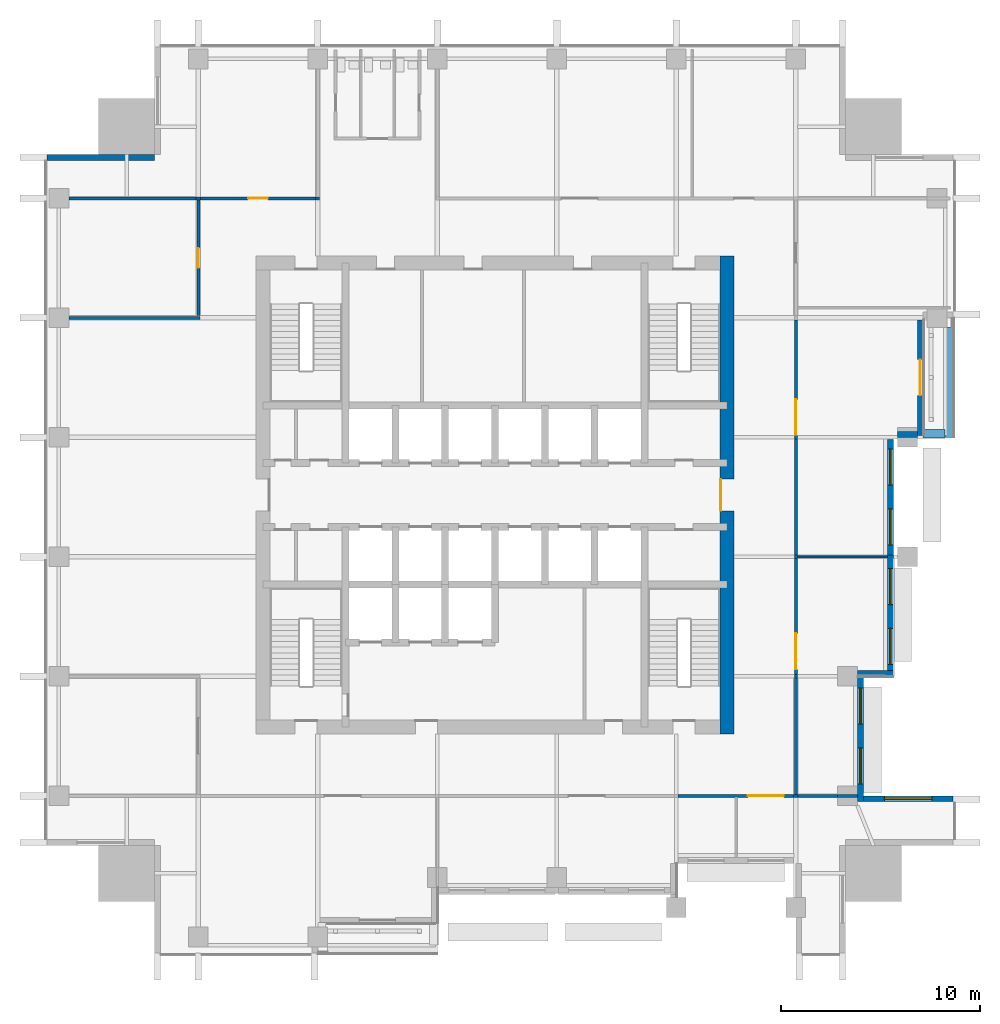
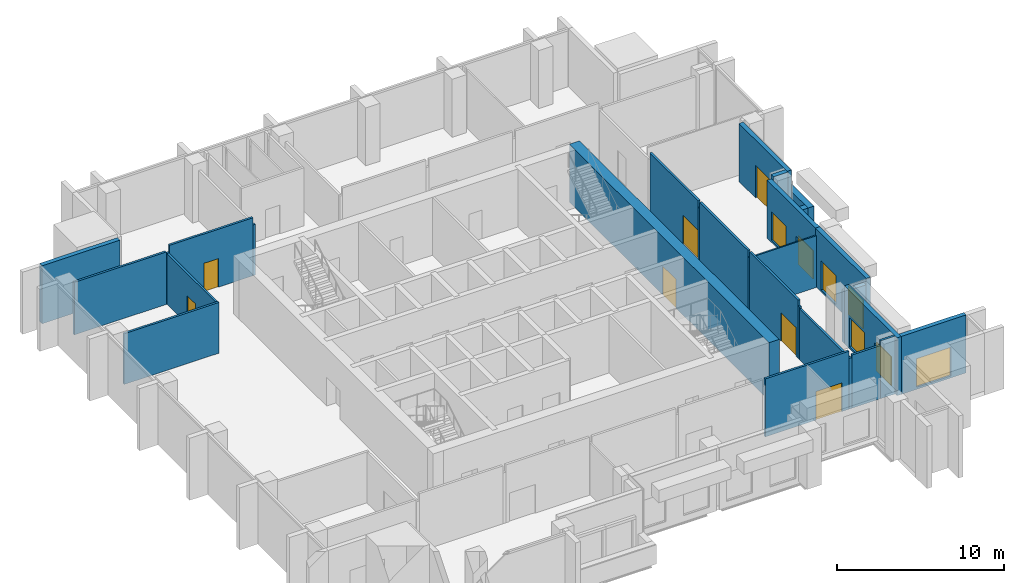
# One storey, part 6 of 11: 29 walls, 7 doors, 7 windows, 14 openings.
"""IFC4 building model written with IfcOpenShell, lengths in metres."""

from ifc_helpers import new_model, si_unit, direction, frame, frame_2d, origin, place, context, subcontext, project, spatial, rectangle, extrude, material, layer, layer_set, type_object, element, fill, save


model = new_model("IFC4")

# Units and contexts
model_context = context("Model", 3, precision=1e-05, world=origin(), true_north=direction((0.0, 1.0)))
body_context = subcontext(model_context, "Body", "Model", "MODEL_VIEW")
ifc_project = project(units=[si_unit("LENGTHUNIT", "METRE"), si_unit("AREAUNIT", "SQUARE_METRE"), si_unit("VOLUMEUNIT", "CUBIC_METRE"), si_unit("PLANEANGLEUNIT", "RADIAN"), si_unit("MASSUNIT", "GRAM", prefix="KILO")], contexts=[model_context])

# Site, building, storey
site_placement = place(None, origin())
site = spatial("IfcSite", under=ifc_project, at=site_placement, CompositionType="ELEMENT")
building_placement = place(site_placement, origin())
building = spatial("IfcBuilding", under=site, at=building_placement, Name="Amberfall Residences", CompositionType="ELEMENT")
storey_placement = place(building_placement, frame((0.0, 0.0, 150.39990234375)))
storey = spatial("IfcBuildingStorey", under=building, at=storey_placement, Name="L40", CompositionType="ELEMENT", Elevation=150.39990234375)

# Wall, opening, window
ifc_material_1 = material(Name="Pale stone cladding on insulated backing", Category="masonry")
ifc_layer_1 = layer(ifc_material_1, 0.300048828125)
ifc_layer_set_1 = layer_set([ifc_layer_1], Name="Bronze clad wall 300")
wall_type_1 = type_object("IfcWallType", Name="Bronze clad wall 300", PredefinedType="SOLIDWALL", material=ifc_layer_set_1)
wall_1_placement = place(storey_placement, frame((97.5, 30.25, 0.0), z_axis=(0.0, 0.0, 1.0), x_axis=(-1.0, 0.0, 0.0)))
wall_1 = element("IfcWall", 1, at=wall_1_placement, inside=storey, type_object=wall_type_1, Name="External wall L40 E", PredefinedType="SOLIDWALL", context=body_context, shape_type="SweptSolid", body=[
    extrude(rectangle(XDim=4.5, YDim=0.300048828125, at=frame_2d((2.25, 0.0))), origin(), (0.0, 0.0, 1.0), 4.25),
])
opening_1_placement = place(wall_1_placement, frame((1.050048828125, 0.0, 0.14990234375)))
opening_1 = element("IfcOpeningElement", 2, at=opening_1_placement, cuts=wall_1, Name="Opening WN5", PredefinedType="OPENING", context=body_context, shape_type="SweptSolid", body=[
    extrude(rectangle(XDim=2.39990234375, YDim=2.10009765625, at=frame_2d((1.199951171875, 1.050048828125))), frame((0.0, 0.159912109375, 0.0), z_axis=(0.0, -1.0, 0.0), x_axis=(1.0, 0.0, 0.0)), (0.0, 0.0, 1.0), 0.320068359375),
])
ifc_material_2 = material(Name="Bronze aluminium framed glazing", Category="aluminium")
window_type_1 = type_object("IfcWindowType", Name="Glazed opening 2400 x 2100 bronze", PartitioningType="DOUBLE_PANEL_VERTICAL", PredefinedType="WINDOW", material=ifc_material_2)
window_1_placement = place(opening_1_placement, origin())
window_1 = element("IfcWindow", 3, at=window_1_placement, inside=storey, type_object=window_type_1, Name="Window L40 E", OverallHeight=2.10009765625, OverallWidth=2.39990234375, PartitioningType="DOUBLE_PANEL_VERTICAL", PredefinedType="WINDOW", context=body_context, shape_type="SweptSolid", body=[
    extrude(rectangle(XDim=2.39990234375, YDim=2.10009765625, at=frame_2d((1.199951171875, 1.050048828125))), frame((0.0, 0.030029296875, 0.0), z_axis=(0.0, -1.0, 0.0), x_axis=(1.0, 0.0, 0.0)), (0.0, 0.0, 1.0), 0.06005859375),
])
fill(opening_1, window_1)

# Wall
wall_2_placement = place(storey_placement, frame((57.39990234375, 62.449951171875, 0.0), z_axis=(0.0, 0.0, 1.0), x_axis=(-1.0, 0.0, 0.0)))
element("IfcWall", 4, at=wall_2_placement, inside=storey, type_object=wall_type_1, Name="External wall L40 NW", PredefinedType="SOLIDWALL", context=body_context, shape_type="SweptSolid", body=[
    extrude(rectangle(XDim=5.39990234375, YDim=0.300048828125, at=frame_2d((2.699951171875, 0.0))), origin(), (0.0, 0.0, 1.0), 4.25),
])

# Wall, openings, windows
wall_3_placement = place(storey_placement, frame((92.85009765625, 30.10009765625, 0.0), z_axis=(0.0, 0.0, 1.0), x_axis=(0.0, 1.0, 0.0)))
wall_3 = element("IfcWall", 5, at=wall_3_placement, inside=storey, type_object=wall_type_1, Name="Stone wall L40 E", PredefinedType="SOLIDWALL", context=body_context, shape_type="SweptSolid", body=[
    extrude(rectangle(XDim=6.2998046875, YDim=0.300048828125, at=frame_2d((3.14990234375, 0.0))), origin(), (0.0, 0.0, 1.0), 4.25),
])
opening_2_placement = place(wall_3_placement, frame((0.89990234375, 0.0, 0.14990234375)))
opening_2 = element("IfcOpeningElement", 6, at=opening_2_placement, cuts=wall_3, Name="Opening WN6", PredefinedType="OPENING", context=body_context, shape_type="SweptSolid", body=[
    extrude(rectangle(XDim=1.800048828125, YDim=2.10009765625, at=frame_2d((0.89990234375, 1.050048828125))), frame((0.0, 0.159912109375, 0.0), z_axis=(0.0, -1.0, 0.0), x_axis=(1.0, 0.0, 0.0)), (0.0, 0.0, 1.0), 0.320068359375),
])
opening_3_placement = place(wall_3_placement, frame((3.89990234375, 0.0, 0.14990234375)))
opening_3 = element("IfcOpeningElement", 7, at=opening_3_placement, cuts=wall_3, Name="Opening WN6", PredefinedType="OPENING", context=body_context, shape_type="SweptSolid", body=[
    extrude(rectangle(XDim=1.800048828125, YDim=2.10009765625, at=frame_2d((0.89990234375, 1.050048828125))), frame((0.0, 0.159912109375, 0.0), z_axis=(0.0, -1.0, 0.0), x_axis=(1.0, 0.0, 0.0)), (0.0, 0.0, 1.0), 0.320068359375),
])
window_type_2 = type_object("IfcWindowType", Name="Glazed opening 1800 x 2100 bronze", PartitioningType="DOUBLE_PANEL_VERTICAL", PredefinedType="WINDOW", material=ifc_material_2)
window_2_placement = place(opening_2_placement, origin())
window_2 = element("IfcWindow", 8, at=window_2_placement, inside=storey, type_object=window_type_2, Name="Window L40 E", OverallHeight=2.10009765625, OverallWidth=1.800048828125, PartitioningType="DOUBLE_PANEL_VERTICAL", PredefinedType="WINDOW", context=body_context, shape_type="SweptSolid", body=[
    extrude(rectangle(XDim=1.800048828125, YDim=2.10009765625, at=frame_2d((0.89990234375, 1.050048828125))), frame((0.0, 0.030029296875, 0.0), z_axis=(0.0, -1.0, 0.0), x_axis=(1.0, 0.0, 0.0)), (0.0, 0.0, 1.0), 0.06005859375),
])
fill(opening_2, window_2)
window_3_placement = place(opening_3_placement, origin())
window_3 = element("IfcWindow", 9, at=window_3_placement, inside=storey, type_object=window_type_2, Name="Window L40 E", OverallHeight=2.10009765625, OverallWidth=1.800048828125, PartitioningType="DOUBLE_PANEL_VERTICAL", PredefinedType="WINDOW", context=body_context, shape_type="SweptSolid", body=[
    extrude(rectangle(XDim=1.800048828125, YDim=2.10009765625, at=frame_2d((0.89990234375, 1.050048828125))), frame((0.0, 0.030029296875, 0.0), z_axis=(0.0, -1.0, 0.0), x_axis=(1.0, 0.0, 0.0)), (0.0, 0.0, 1.0), 0.06005859375),
])
fill(opening_3, window_3)

# Wall
wall_4_placement = place(storey_placement, frame((92.699951171875, 36.550048828125, 0.0), z_axis=(0.0, 0.0, 1.0), x_axis=(1.0, 0.0, 0.0)))
element("IfcWall", 10, at=wall_4_placement, inside=storey, type_object=wall_type_1, Name="Stone wall L40 S", PredefinedType="SOLIDWALL", context=body_context, shape_type="SweptSolid", body=[
    extrude(rectangle(XDim=1.800048828125, YDim=0.300048828125, at=frame_2d((0.89990234375, 0.0))), origin(), (0.0, 0.0, 1.0), 3.794677734375),
])

# Wall, openings, windows
wall_5_placement = place(storey_placement, frame((94.35009765625, 36.39990234375, 0.0), z_axis=(0.0, 0.0, 1.0), x_axis=(0.0, 1.0, 0.0)))
wall_5 = element("IfcWall", 11, at=wall_5_placement, inside=storey, type_object=wall_type_1, Name="Stone wall L40 E", PredefinedType="SOLIDWALL", context=body_context, shape_type="SweptSolid", body=[
    extrude(rectangle(XDim=6.10009765625, YDim=0.300048828125, at=frame_2d((3.050048828125, 0.0))), origin(), (0.0, 0.0, 1.0), 4.25),
])
opening_4_placement = place(wall_5_placement, frame((0.60009765625, 0.0, 0.14990234375)))
opening_4 = element("IfcOpeningElement", 12, at=opening_4_placement, cuts=wall_5, Name="Opening WN6", PredefinedType="OPENING", context=body_context, shape_type="SweptSolid", body=[
    extrude(rectangle(XDim=1.800048828125, YDim=2.10009765625, at=frame_2d((0.89990234375, 1.050048828125))), frame((0.0, 0.159912109375, 0.0), z_axis=(0.0, -1.0, 0.0), x_axis=(1.0, 0.0, 0.0)), (0.0, 0.0, 1.0), 0.320068359375),
])
opening_5_placement = place(wall_5_placement, frame((3.60009765625, 0.0, 0.14990234375)))
opening_5 = element("IfcOpeningElement", 13, at=opening_5_placement, cuts=wall_5, Name="Opening WN6", PredefinedType="OPENING", context=body_context, shape_type="SweptSolid", body=[
    extrude(rectangle(XDim=1.800048828125, YDim=2.10009765625, at=frame_2d((0.89990234375, 1.050048828125))), frame((0.0, 0.159912109375, 0.0), z_axis=(0.0, -1.0, 0.0), x_axis=(1.0, 0.0, 0.0)), (0.0, 0.0, 1.0), 0.320068359375),
])
window_4_placement = place(opening_4_placement, origin())
window_4 = element("IfcWindow", 14, at=window_4_placement, inside=storey, type_object=window_type_2, Name="Window L40 E", OverallHeight=2.10009765625, OverallWidth=1.800048828125, PartitioningType="DOUBLE_PANEL_VERTICAL", PredefinedType="WINDOW", context=body_context, shape_type="SweptSolid", body=[
    extrude(rectangle(XDim=1.800048828125, YDim=2.10009765625, at=frame_2d((0.89990234375, 1.050048828125))), frame((0.0, 0.030029296875, 0.0), z_axis=(0.0, -1.0, 0.0), x_axis=(1.0, 0.0, 0.0)), (0.0, 0.0, 1.0), 0.06005859375),
])
fill(opening_4, window_4)
window_5_placement = place(opening_5_placement, origin())
window_5 = element("IfcWindow", 15, at=window_5_placement, inside=storey, type_object=window_type_2, Name="Window L40 E", OverallHeight=2.10009765625, OverallWidth=1.800048828125, PartitioningType="DOUBLE_PANEL_VERTICAL", PredefinedType="WINDOW", context=body_context, shape_type="SweptSolid", body=[
    extrude(rectangle(XDim=1.800048828125, YDim=2.10009765625, at=frame_2d((0.89990234375, 1.050048828125))), frame((0.0, 0.030029296875, 0.0), z_axis=(0.0, -1.0, 0.0), x_axis=(1.0, 0.0, 0.0)), (0.0, 0.0, 1.0), 0.06005859375),
])
fill(opening_5, window_5)

wall_6_placement = place(storey_placement, frame((94.35009765625, 42.5, 0.0), z_axis=(0.0, 0.0, 1.0), x_axis=(0.0, 1.0, 0.0)))
wall_6 = element("IfcWall", 16, at=wall_6_placement, inside=storey, type_object=wall_type_1, Name="Stone wall L40 E", PredefinedType="SOLIDWALL", context=body_context, shape_type="SweptSolid", body=[
    extrude(rectangle(XDim=5.800048828125, YDim=0.300048828125, at=frame_2d((2.89990234375, 0.0))), origin(), (0.0, 0.0, 1.0), 4.25),
])
opening_6_placement = place(wall_6_placement, frame((0.5, 0.0, 0.14990234375)))
opening_6 = element("IfcOpeningElement", 17, at=opening_6_placement, cuts=wall_6, Name="Opening WN6", PredefinedType="OPENING", context=body_context, shape_type="SweptSolid", body=[
    extrude(rectangle(XDim=1.800048828125, YDim=2.10009765625, at=frame_2d((0.89990234375, 1.050048828125))), frame((0.0, 0.159912109375, 0.0), z_axis=(0.0, -1.0, 0.0), x_axis=(1.0, 0.0, 0.0)), (0.0, 0.0, 1.0), 0.320068359375),
])
opening_7_placement = place(wall_6_placement, frame((3.5, 0.0, 0.14990234375)))
opening_7 = element("IfcOpeningElement", 18, at=opening_7_placement, cuts=wall_6, Name="Opening WN6", PredefinedType="OPENING", context=body_context, shape_type="SweptSolid", body=[
    extrude(rectangle(XDim=1.800048828125, YDim=2.10009765625, at=frame_2d((0.89990234375, 1.050048828125))), frame((0.0, 0.159912109375, 0.0), z_axis=(0.0, -1.0, 0.0), x_axis=(1.0, 0.0, 0.0)), (0.0, 0.0, 1.0), 0.320068359375),
])
window_6_placement = place(opening_6_placement, origin())
window_6 = element("IfcWindow", 19, at=window_6_placement, inside=storey, type_object=window_type_2, Name="Window L40 E", OverallHeight=2.10009765625, OverallWidth=1.800048828125, PartitioningType="DOUBLE_PANEL_VERTICAL", PredefinedType="WINDOW", context=body_context, shape_type="SweptSolid", body=[
    extrude(rectangle(XDim=1.800048828125, YDim=2.10009765625, at=frame_2d((0.89990234375, 1.050048828125))), frame((0.0, 0.030029296875, 0.0), z_axis=(0.0, -1.0, 0.0), x_axis=(1.0, 0.0, 0.0)), (0.0, 0.0, 1.0), 0.06005859375),
])
fill(opening_6, window_6)
window_7_placement = place(opening_7_placement, origin())
window_7 = element("IfcWindow", 20, at=window_7_placement, inside=storey, type_object=window_type_2, Name="Window L40 E", OverallHeight=2.10009765625, OverallWidth=1.800048828125, PartitioningType="DOUBLE_PANEL_VERTICAL", PredefinedType="WINDOW", context=body_context, shape_type="SweptSolid", body=[
    extrude(rectangle(XDim=1.800048828125, YDim=2.10009765625, at=frame_2d((0.89990234375, 1.050048828125))), frame((0.0, 0.030029296875, 0.0), z_axis=(0.0, -1.0, 0.0), x_axis=(1.0, 0.0, 0.0)), (0.0, 0.0, 1.0), 0.06005859375),
])
fill(opening_7, window_7)

# Wall
wall_7_placement = place(storey_placement, frame((94.699951171875, 48.550048828125, 0.0), z_axis=(0.0, 0.0, 1.0), x_axis=(1.0, 0.0, 0.0)))
element("IfcWall", 21, at=wall_7_placement, inside=storey, type_object=wall_type_1, Name="Stone wall L40 S", PredefinedType="SOLIDWALL", context=body_context, shape_type="SweptSolid", body=[
    extrude(rectangle(XDim=1.0, YDim=0.300048828125, at=frame_2d((0.5, 0.0))), origin(), (0.0, 0.0, 1.0), 4.25),
])

# Wall, opening, door
wall_8_placement = place(storey_placement, frame((95.85009765625, 48.489990234375, 0.0), z_axis=(0.0, 0.0, 1.0), x_axis=(0.0, 1.0, 0.0)))
wall_8 = element("IfcWall", 22, at=wall_8_placement, inside=storey, type_object=wall_type_1, Name="Stone wall L40 E", PredefinedType="SOLIDWALL", context=body_context, shape_type="SweptSolid", body=[
    extrude(rectangle(XDim=5.800048828125, YDim=0.300048828125, at=frame_2d((2.89990234375, 0.0))), origin(), (0.0, 0.0, 1.0), 4.25),
])
opening_8_placement = place(wall_8_placement, frame((2.010009765625, 0.0, 0.0)))
opening_8 = element("IfcOpeningElement", 23, at=opening_8_placement, cuts=wall_8, Name="Opening D9", PredefinedType="OPENING", context=body_context, shape_type="SweptSolid", body=[
    extrude(rectangle(XDim=1.800048828125, YDim=2.39990234375, at=frame_2d((0.89990234375, 1.199951171875))), frame((0.0, 0.159912109375, 0.0), z_axis=(0.0, -1.0, 0.0), x_axis=(1.0, 0.0, 0.0)), (0.0, 0.0, 1.0), 0.320068359375),
])
ifc_material_3 = material(Name="Bronze framed toughened glass", Category="glass")
door_type_1 = type_object("IfcDoorType", Name="Terrace door 1800x2400", OperationType="DOUBLE_DOOR_SINGLE_SWING", PredefinedType="DOOR", material=ifc_material_3)
door_1_placement = place(opening_8_placement, origin())
door_1 = element("IfcDoor", 24, at=door_1_placement, inside=storey, type_object=door_type_1, Name="Sky garden terrace door E4", OperationType="DOUBLE_DOOR_SINGLE_SWING", OverallHeight=2.39990234375, OverallWidth=1.800048828125, PredefinedType="DOOR", context=body_context, shape_type="SweptSolid", body=[
    extrude(rectangle(XDim=1.800048828125, YDim=2.39990234375, at=frame_2d((0.89990234375, 1.199951171875))), frame((0.0, 0.02490234375, 0.0), z_axis=(0.0, -1.0, 0.0), x_axis=(1.0, 0.0, 0.0)), (0.0, 0.0, 1.0), 0.050048828125),
])
fill(opening_8, door_1)

ifc_material_4 = material(Name="Concrete C60", Category="concrete")
ifc_layer_2 = layer(ifc_material_4, 0.699951171875)
ifc_layer_set_2 = layer_set([ifc_layer_2], Name="Core wall 700 C60")
wall_type_2 = type_object("IfcWallType", Name="Core wall 700 C60", PredefinedType="SHEAR", material=ifc_layer_set_2)
wall_9_placement = place(storey_placement, frame((86.14990234375, 33.5, 0.0), z_axis=(0.0, 0.0, 1.0), x_axis=(0.0, 1.0, 0.0)))
wall_9 = element("IfcWall", 25, at=wall_9_placement, inside=storey, type_object=wall_type_2, Name="Core wall RW5 L40 OE", PredefinedType="SHEAR", context=body_context, shape_type="SweptSolid", body=[
    extrude(rectangle(XDim=24.0, YDim=0.699951171875, at=frame_2d((12.0, 0.0))), origin(), (0.0, 0.0, 1.0), 4.25),
])
opening_9_placement = place(wall_9_placement, frame((11.199951171875, 0.0, 0.0)))
opening_9 = element("IfcOpeningElement", 26, at=opening_9_placement, cuts=wall_9, Name="Opening LB1", PredefinedType="OPENING", context=body_context, shape_type="SweptSolid", body=[
    extrude(rectangle(XDim=1.60009765625, YDim=2.10009765625, at=frame_2d((0.800048828125, 1.050048828125))), frame((0.0, 0.35986328125, 0.0), z_axis=(0.0, -1.0, 0.0), x_axis=(1.0, 0.0, 0.0)), (0.0, 0.0, 1.0), 0.719970703125),
])
ifc_material_5 = material(Name="Steel fire door set", Category="steel")
door_type_2 = type_object("IfcDoorType", Name="Lift lobby double door 1600 x 2100", OperationType="DOUBLE_DOOR_SINGLE_SWING", PredefinedType="DOOR", material=ifc_material_5)
door_2_placement = place(opening_9_placement, origin())
door_2 = element("IfcDoor", 27, at=door_2_placement, inside=storey, type_object=door_type_2, Name="LB1 L40", OperationType="DOUBLE_DOOR_SINGLE_SWING", OverallHeight=2.10009765625, OverallWidth=1.60009765625, PredefinedType="DOOR", context=body_context, shape_type="SweptSolid", body=[
    extrude(rectangle(XDim=1.60009765625, YDim=2.10009765625, at=frame_2d((0.800048828125, 1.050048828125))), frame((0.0, 0.33740234375, 0.0), z_axis=(0.0, -1.0, 0.0), x_axis=(1.0, 0.0, 0.0)), (0.0, 0.0, 1.0), 0.050048828125),
])
fill(opening_9, door_2)

# Wall
ifc_material_6 = material(Name="Gypsum board on steel studs", Category="steel")
ifc_layer_3 = layer(ifc_material_6, 0.10009765625)
ifc_layer_set_3 = layer_set([ifc_layer_3], Name="Partition 100")
wall_type_3 = type_object("IfcWallType", Name="Partition 100", PredefinedType="PARTITIONING", material=ifc_layer_set_3)
wall_10_placement = place(storey_placement, frame((89.675048828125, 42.39990234375, 0.0), z_axis=(0.0, 0.0, 1.0), x_axis=(1.0, 0.0, 0.0)))
element("IfcWall", 28, at=wall_10_placement, inside=storey, type_object=wall_type_3, Name="Partition 100 L40 001", PredefinedType="PARTITIONING", context=body_context, shape_type="SweptSolid", body=[
    extrude(rectangle(XDim=4.52490234375, YDim=0.10009765625, at=frame_2d((2.262451171875, 0.0))), origin(), (0.0, 0.0, 1.0), 3.7900390625),
])

# Wall, opening, door
ifc_material_7 = material(Name="Fire-rated gypsum board on steel studs", Category="steel")
ifc_layer_4 = layer(ifc_material_7, 0.14990234375)
ifc_layer_set_4 = layer_set([ifc_layer_4], Name="Partition 150 fire-rated")
wall_type_4 = type_object("IfcWallType", Name="Partition 150 fire-rated", PredefinedType="PARTITIONING", material=ifc_layer_set_4)
wall_11_placement = place(storey_placement, frame((83.69580078125, 30.39990234375, 0.0), z_axis=(0.0, 0.0, 1.0), x_axis=(1.0, 0.0, 0.0)))
wall_11 = element("IfcWall", 29, at=wall_11_placement, inside=storey, type_object=wall_type_4, Name="Partition 150 fire-rated L40 011", PredefinedType="PARTITIONING", context=body_context, shape_type="SweptSolid", body=[
    extrude(rectangle(XDim=5.798828125, YDim=0.14990234375, at=frame_2d((2.8994140625, 0.0))), origin(), (0.0, 0.0, 1.0), 4.25),
])
opening_10_placement = place(wall_11_placement, frame((3.50439453125, 0.0, 0.0)))
opening_10 = element("IfcOpeningElement", 30, at=opening_10_placement, cuts=wall_11, Name="Opening D5", PredefinedType="OPENING", context=body_context, shape_type="SweptSolid", body=[
    extrude(rectangle(XDim=1.800048828125, YDim=2.10009765625, at=frame_2d((0.89990234375, 1.050048828125))), frame((0.0, 0.0849609375, 0.0), z_axis=(0.0, -1.0, 0.0), x_axis=(1.0, 0.0, 0.0)), (0.0, 0.0, 1.0), 0.169921875),
])
ifc_material_8 = material(Name="Timber veneer door leaf", Category="wood")
door_type_3 = type_object("IfcDoorType", Name="Double door 1800x2100", OperationType="DOUBLE_DOOR_SINGLE_SWING", PredefinedType="DOOR", material=ifc_material_8)
door_3_placement = place(opening_10_placement, origin())
door_3 = element("IfcDoor", 31, at=door_3_placement, inside=storey, type_object=door_type_3, Name="Door Sky gym and fitness room", OperationType="DOUBLE_DOOR_SINGLE_SWING", OverallHeight=2.10009765625, OverallWidth=1.800048828125, PredefinedType="DOOR", context=body_context, shape_type="SweptSolid", body=[
    extrude(rectangle(XDim=1.800048828125, YDim=2.10009765625, at=frame_2d((0.89990234375, 1.050048828125))), frame((0.0, 0.02490234375, 0.0), z_axis=(0.0, -1.0, 0.0), x_axis=(1.0, 0.0, 0.0)), (0.0, 0.0, 1.0), 0.050048828125),
])
fill(opening_10, door_3)

# Walls
wall_12_placement = place(storey_placement, frame((89.49462890625, 30.39990234375, 0.0), z_axis=(0.0, 0.0, 1.0), x_axis=(1.0, 0.0, 0.0)))
element("IfcWall", 32, at=wall_12_placement, inside=storey, type_object=wall_type_4, Name="Partition 150 fire-rated L40 012", PredefinedType="PARTITIONING", context=body_context, shape_type="SweptSolid", body=[
    extrude(rectangle(XDim=0.210693359375, YDim=0.14990234375, at=frame_2d((0.10546875, 0.0))), origin(), (0.0, 0.0, 1.0), 3.711181640625),
])
wall_13_placement = place(storey_placement, frame((89.719970703125, 30.39990234375, 0.0), z_axis=(0.0, 0.0, 1.0), x_axis=(1.0, 0.0, 0.0)))
element("IfcWall", 33, at=wall_13_placement, inside=storey, type_object=wall_type_4, Name="Partition 150 fire-rated L40 013", PredefinedType="PARTITIONING", context=body_context, shape_type="SweptSolid", body=[
    extrude(rectangle(XDim=1.97998046875, YDim=0.14990234375, at=frame_2d((0.989990234375, 0.0))), origin(), (0.0, 0.0, 1.0), 3.899169921875),
])
wall_14_placement = place(storey_placement, frame((91.699951171875, 30.39990234375, 0.0), z_axis=(0.0, 0.0, 1.0), x_axis=(1.0, 0.0, 0.0)))
element("IfcWall", 34, at=wall_14_placement, inside=storey, type_object=wall_type_4, Name="Partition 150 fire-rated L40 014", PredefinedType="PARTITIONING", context=body_context, shape_type="SweptSolid", body=[
    extrude(rectangle(XDim=1.0, YDim=0.14990234375, at=frame_2d((0.5, 0.0))), origin(), (0.0, 0.0, 1.0), 4.25),
])
wall_15_placement = place(storey_placement, frame((53.10009765625, 54.39990234375, 0.0), z_axis=(0.0, 0.0, 1.0), x_axis=(1.0, 0.0, 0.0)))
element("IfcWall", 35, at=wall_15_placement, inside=storey, type_object=wall_type_4, Name="Partition 150 fire-rated L40 016", PredefinedType="PARTITIONING", context=body_context, shape_type="SweptSolid", body=[
    extrude(rectangle(XDim=6.574951171875, YDim=0.14990234375, at=frame_2d((3.28759765625, 0.0))), origin(), (0.0, 0.0, 1.0), 3.717041015625),
])
wall_16_placement = place(storey_placement, frame((53.10009765625, 60.39990234375, 0.0), z_axis=(0.0, 0.0, 1.0), x_axis=(1.0, 0.0, 0.0)))
element("IfcWall", 36, at=wall_16_placement, inside=storey, type_object=wall_type_4, Name="Partition 150 fire-rated L40 017", PredefinedType="PARTITIONING", context=body_context, shape_type="SweptSolid", body=[
    extrude(rectangle(XDim=6.3798828125, YDim=0.14990234375, at=frame_2d((3.18994140625, 0.0))), origin(), (0.0, 0.0, 1.0), 3.84716796875),
])
wall_17_placement = place(storey_placement, frame((59.49462890625, 60.39990234375, 0.0), z_axis=(0.0, 0.0, 1.0), x_axis=(1.0, 0.0, 0.0)))
element("IfcWall", 37, at=wall_17_placement, inside=storey, type_object=wall_type_4, Name="Partition 150 fire-rated L40 018", PredefinedType="PARTITIONING", context=body_context, shape_type="SweptSolid", body=[
    extrude(rectangle(XDim=0.210693359375, YDim=0.14990234375, at=frame_2d((0.10546875, 0.0))), origin(), (0.0, 0.0, 1.0), 3.711181640625),
])

# Wall, opening, door
wall_18_placement = place(storey_placement, frame((59.705322265625, 60.39990234375, 0.0), z_axis=(0.0, 0.0, 1.0), x_axis=(1.0, 0.0, 0.0)))
wall_18 = element("IfcWall", 38, at=wall_18_placement, inside=storey, type_object=wall_type_4, Name="Partition 150 fire-rated L40 019", PredefinedType="PARTITIONING", context=body_context, shape_type="SweptSolid", body=[
    extrude(rectangle(XDim=5.7900390625, YDim=0.14990234375, at=frame_2d((2.89501953125, 0.0))), origin(), (0.0, 0.0, 1.0), 4.25),
])
opening_11_placement = place(wall_18_placement, frame((2.39453125, 0.0, 0.0)))
opening_11 = element("IfcOpeningElement", 39, at=opening_11_placement, cuts=wall_18, Name="Opening D2", PredefinedType="OPENING", context=body_context, shape_type="SweptSolid", body=[
    extrude(rectangle(XDim=1.0, YDim=2.10009765625, at=frame_2d((0.5, 1.050048828125))), frame((0.0, 0.0849609375, 0.0), z_axis=(0.0, -1.0, 0.0), x_axis=(1.0, 0.0, 0.0)), (0.0, 0.0, 1.0), 0.169921875),
])
ifc_material_9 = material(Name="Steel fire door leaf", Category="steel")
door_type_4 = type_object("IfcDoorType", Name="Fire door 1000x2100 FD30S", OperationType="SINGLE_SWING_LEFT", PredefinedType="DOOR", material=ifc_material_9)
door_4_placement = place(opening_11_placement, origin())
door_4 = element("IfcDoor", 40, at=door_4_placement, inside=storey, type_object=door_type_4, Name="Door Restaurant kitchen", OperationType="SINGLE_SWING_LEFT", OverallHeight=2.10009765625, OverallWidth=1.0, PredefinedType="DOOR", context=body_context, shape_type="SweptSolid", body=[
    extrude(rectangle(XDim=1.0, YDim=2.10009765625, at=frame_2d((0.5, 1.050048828125))), frame((0.0, 0.02490234375, 0.0), z_axis=(0.0, -1.0, 0.0), x_axis=(1.0, 0.0, 0.0)), (0.0, 0.0, 1.0), 0.050048828125),
])
fill(opening_11, door_4)

# Wall
wall_19_placement = place(storey_placement, frame((65.495361328125, 60.39990234375, 0.0), z_axis=(0.0, 0.0, 1.0), x_axis=(1.0, 0.0, 0.0)))
element("IfcWall", 41, at=wall_19_placement, inside=storey, type_object=wall_type_4, Name="Partition 150 fire-rated L40 020", PredefinedType="PARTITIONING", context=body_context, shape_type="SweptSolid", body=[
    extrude(rectangle(XDim=0.1796875, YDim=0.14990234375, at=frame_2d((0.08984375, 0.0))), origin(), (0.0, 0.0, 1.0), 3.717041015625),
])

# Wall, opening, door
wall_20_placement = place(storey_placement, frame((59.60009765625, 54.504638671875, 0.0), z_axis=(0.0, 0.0, 1.0), x_axis=(0.0, 1.0, 0.0)))
wall_20 = element("IfcWall", 42, at=wall_20_placement, inside=storey, type_object=wall_type_4, Name="Partition 150 fire-rated L40 032", PredefinedType="PARTITIONING", context=body_context, shape_type="SweptSolid", body=[
    extrude(rectangle(XDim=5.8203125, YDim=0.14990234375, at=frame_2d((2.91015625, 0.0))), origin(), (0.0, 0.0, 1.0), 3.711181640625),
])
opening_12_placement = place(wall_20_placement, frame((2.3955078125, 0.0, 0.0)))
opening_12 = element("IfcOpeningElement", 43, at=opening_12_placement, cuts=wall_20, Name="Opening D2", PredefinedType="OPENING", context=body_context, shape_type="SweptSolid", body=[
    extrude(rectangle(XDim=1.0, YDim=2.10009765625, at=frame_2d((0.5, 1.050048828125))), frame((0.0, 0.0849609375, 0.0), z_axis=(0.0, -1.0, 0.0), x_axis=(1.0, 0.0, 0.0)), (0.0, 0.0, 1.0), 0.169921875),
])
door_5_placement = place(opening_12_placement, origin())
door_5 = element("IfcDoor", 44, at=door_5_placement, inside=storey, type_object=door_type_4, Name="Door Sky spa", OperationType="SINGLE_SWING_LEFT", OverallHeight=2.10009765625, OverallWidth=1.0, PredefinedType="DOOR", context=body_context, shape_type="SweptSolid", body=[
    extrude(rectangle(XDim=1.0, YDim=2.10009765625, at=frame_2d((0.5, 1.050048828125))), frame((0.0, 0.02490234375, 0.0), z_axis=(0.0, -1.0, 0.0), x_axis=(1.0, 0.0, 0.0)), (0.0, 0.0, 1.0), 0.050048828125),
])
fill(opening_12, door_5)

# Walls
wall_21_placement = place(storey_placement, frame((89.60009765625, 30.47509765625, 0.0), z_axis=(0.0, 0.0, 1.0), x_axis=(0.0, 1.0, 0.0)))
element("IfcWall", 45, at=wall_21_placement, inside=storey, type_object=wall_type_4, Name="Partition 150 fire-rated L40 041", PredefinedType="PARTITIONING", context=body_context, shape_type="SweptSolid", body=[
    extrude(rectangle(XDim=5.8359375, YDim=0.14990234375, at=frame_2d((2.91796875, 0.0))), origin(), (0.0, 0.0, 1.0), 3.711181640625),
])
wall_22_placement = place(storey_placement, frame((89.60009765625, 36.316162109375, 0.0), z_axis=(0.0, 0.0, 1.0), x_axis=(0.0, 1.0, 0.0)))
element("IfcWall", 46, at=wall_22_placement, inside=storey, type_object=wall_type_4, Name="Partition 150 fire-rated L40 042", PredefinedType="PARTITIONING", context=body_context, shape_type="SweptSolid", body=[
    extrude(rectangle(XDim=0.172607421875, YDim=0.14990234375, at=frame_2d((0.08642578125, 0.0))), origin(), (0.0, 0.0, 1.0), 3.84716796875),
])

# Wall, opening, door
wall_23_placement = place(storey_placement, frame((89.60009765625, 36.48876953125, 0.0), z_axis=(0.0, 0.0, 1.0), x_axis=(0.0, 1.0, 0.0)))
wall_23 = element("IfcWall", 47, at=wall_23_placement, inside=storey, type_object=wall_type_4, Name="Partition 150 fire-rated L40 043", PredefinedType="PARTITIONING", context=body_context, shape_type="SweptSolid", body=[
    extrude(rectangle(XDim=5.8154296875, YDim=0.14990234375, at=frame_2d((2.90771484375, 0.0))), origin(), (0.0, 0.0, 1.0), 4.25),
])
opening_13_placement = place(wall_23_placement, frame((0.260986328125, 0.0, 0.0)))
opening_13 = element("IfcOpeningElement", 48, at=opening_13_placement, cuts=wall_23, Name="Opening D5", PredefinedType="OPENING", context=body_context, shape_type="SweptSolid", body=[
    extrude(rectangle(XDim=1.800048828125, YDim=2.10009765625, at=frame_2d((0.89990234375, 1.050048828125))), frame((0.0, 0.0849609375, 0.0), z_axis=(0.0, -1.0, 0.0), x_axis=(1.0, 0.0, 0.0)), (0.0, 0.0, 1.0), 0.169921875),
])
door_6_placement = place(opening_13_placement, origin())
door_6 = element("IfcDoor", 49, at=door_6_placement, inside=storey, type_object=door_type_3, Name="Door Yoga room", OperationType="DOUBLE_DOOR_SINGLE_SWING", OverallHeight=2.10009765625, OverallWidth=1.800048828125, PredefinedType="DOOR", context=body_context, shape_type="SweptSolid", body=[
    extrude(rectangle(XDim=1.800048828125, YDim=2.10009765625, at=frame_2d((0.89990234375, 1.050048828125))), frame((0.0, 0.02490234375, 0.0), z_axis=(0.0, -1.0, 0.0), x_axis=(1.0, 0.0, 0.0)), (0.0, 0.0, 1.0), 0.050048828125),
])
fill(opening_13, door_6)

# Walls
wall_24_placement = place(storey_placement, frame((89.60009765625, 42.30419921875, 0.0), z_axis=(0.0, 0.0, 1.0), x_axis=(0.0, 1.0, 0.0)))
element("IfcWall", 50, at=wall_24_placement, inside=storey, type_object=wall_type_4, Name="Partition 150 fire-rated L40 044", PredefinedType="PARTITIONING", context=body_context, shape_type="SweptSolid", body=[
    extrude(rectangle(XDim=0.19140625, YDim=0.14990234375, at=frame_2d((0.095703125, 0.0))), origin(), (0.0, 0.0, 1.0), 3.7900390625),
])
wall_25_placement = place(storey_placement, frame((89.60009765625, 42.49560546875, 0.0), z_axis=(0.0, 0.0, 1.0), x_axis=(0.0, 1.0, 0.0)))
element("IfcWall", 51, at=wall_25_placement, inside=storey, type_object=wall_type_4, Name="Partition 150 fire-rated L40 045", PredefinedType="PARTITIONING", context=body_context, shape_type="SweptSolid", body=[
    extrude(rectangle(XDim=5.80859375, YDim=0.14990234375, at=frame_2d((2.904296875, 0.0))), origin(), (0.0, 0.0, 1.0), 4.25),
])
wall_26_placement = place(storey_placement, frame((89.60009765625, 48.30419921875, 0.0), z_axis=(0.0, 0.0, 1.0), x_axis=(0.0, 1.0, 0.0)))
element("IfcWall", 52, at=wall_26_placement, inside=storey, type_object=wall_type_4, Name="Partition 150 fire-rated L40 046", PredefinedType="PARTITIONING", context=body_context, shape_type="SweptSolid", body=[
    extrude(rectangle(XDim=0.19140625, YDim=0.14990234375, at=frame_2d((0.095703125, 0.0))), origin(), (0.0, 0.0, 1.0), 3.7900390625),
])

# Wall, opening, door
wall_27_placement = place(storey_placement, frame((89.60009765625, 48.49560546875, 0.0), z_axis=(0.0, 0.0, 1.0), x_axis=(0.0, 1.0, 0.0)))
wall_27 = element("IfcWall", 53, at=wall_27_placement, inside=storey, type_object=wall_type_4, Name="Partition 150 fire-rated L40 047", PredefinedType="PARTITIONING", context=body_context, shape_type="SweptSolid", body=[
    extrude(rectangle(XDim=5.7998046875, YDim=0.14990234375, at=frame_2d((2.89990234375, 0.0))), origin(), (0.0, 0.0, 1.0), 4.25),
])
opening_14_placement = place(wall_27_placement, frame((0.00439453125, 0.0, 0.0)))
opening_14 = element("IfcOpeningElement", 54, at=opening_14_placement, cuts=wall_27, Name="Opening D5", PredefinedType="OPENING", context=body_context, shape_type="SweptSolid", body=[
    extrude(rectangle(XDim=1.800048828125, YDim=2.10009765625, at=frame_2d((0.89990234375, 1.050048828125))), frame((0.0, 0.0849609375, 0.0), z_axis=(0.0, -1.0, 0.0), x_axis=(1.0, 0.0, 0.0)), (0.0, 0.0, 1.0), 0.169921875),
])
door_7_placement = place(opening_14_placement, origin())
door_7 = element("IfcDoor", 55, at=door_7_placement, inside=storey, type_object=door_type_3, Name="Door Residents bar", OperationType="DOUBLE_DOOR_SINGLE_SWING", OverallHeight=2.10009765625, OverallWidth=1.800048828125, PredefinedType="DOOR", context=body_context, shape_type="SweptSolid", body=[
    extrude(rectangle(XDim=1.800048828125, YDim=2.10009765625, at=frame_2d((0.89990234375, 1.050048828125))), frame((0.0, 0.02490234375, 0.0), z_axis=(0.0, -1.0, 0.0), x_axis=(1.0, 0.0, 0.0)), (0.0, 0.0, 1.0), 0.050048828125),
])
fill(opening_14, door_7)

# Walls
ifc_material_10 = material(Name="Pale stone faced Concrete C40", Category="masonry")
ifc_layer_5 = layer(ifc_material_10, 0.39990234375)
ifc_layer_set_5 = layer_set([ifc_layer_5], Name="Terrace parapet wall 400")
wall_type_5 = type_object("IfcWallType", Name="Terrace parapet wall 400", PredefinedType="PARAPET", material=ifc_layer_set_5)
wall_28_placement = place(storey_placement, frame((97.300048828125, 48.39990234375, 0.030029296875), z_axis=(0.0, 0.0, 1.0), x_axis=(0.0, 1.0, 0.0)))
element("IfcWall", 56, at=wall_28_placement, inside=storey, type_object=wall_type_5, Name="Terrace parapet L40 E4", PredefinedType="PARAPET", context=body_context, shape_type="SweptSolid", body=[
    extrude(rectangle(XDim=5.5, YDim=0.39990234375, at=frame_2d((2.75, 0.0))), origin(), (0.0, 0.0, 1.0), 1.10009765625),
])
wall_29_placement = place(storey_placement, frame((96.0, 48.60009765625, 0.030029296875), z_axis=(0.0, 0.0, 1.0), x_axis=(1.0, 0.0, 0.0)))
element("IfcWall", 57, at=wall_29_placement, inside=storey, type_object=wall_type_5, Name="Terrace parapet L40 E4 return", PredefinedType="PARAPET", context=body_context, shape_type="SweptSolid", body=[
    extrude(rectangle(XDim=1.10009765625, YDim=0.39990234375, at=frame_2d((0.550048828125, 0.0))), origin(), (0.0, 0.0, 1.0), 1.10009765625),
])

save(model, "model.ifc")
